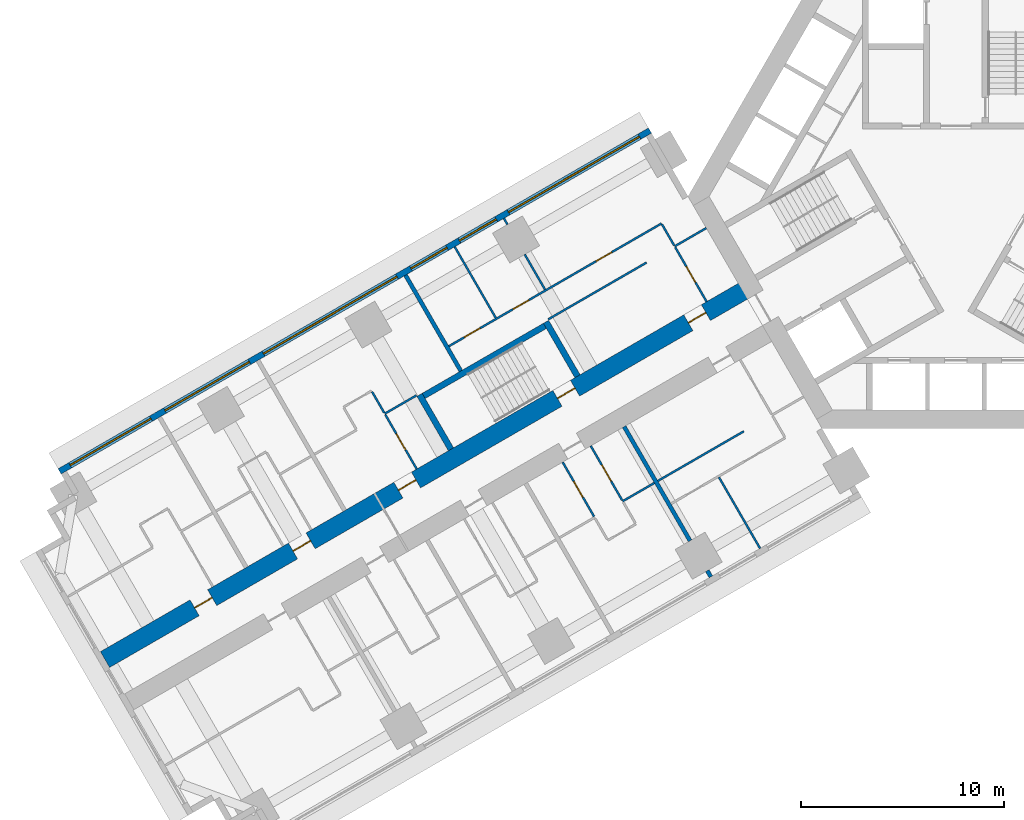
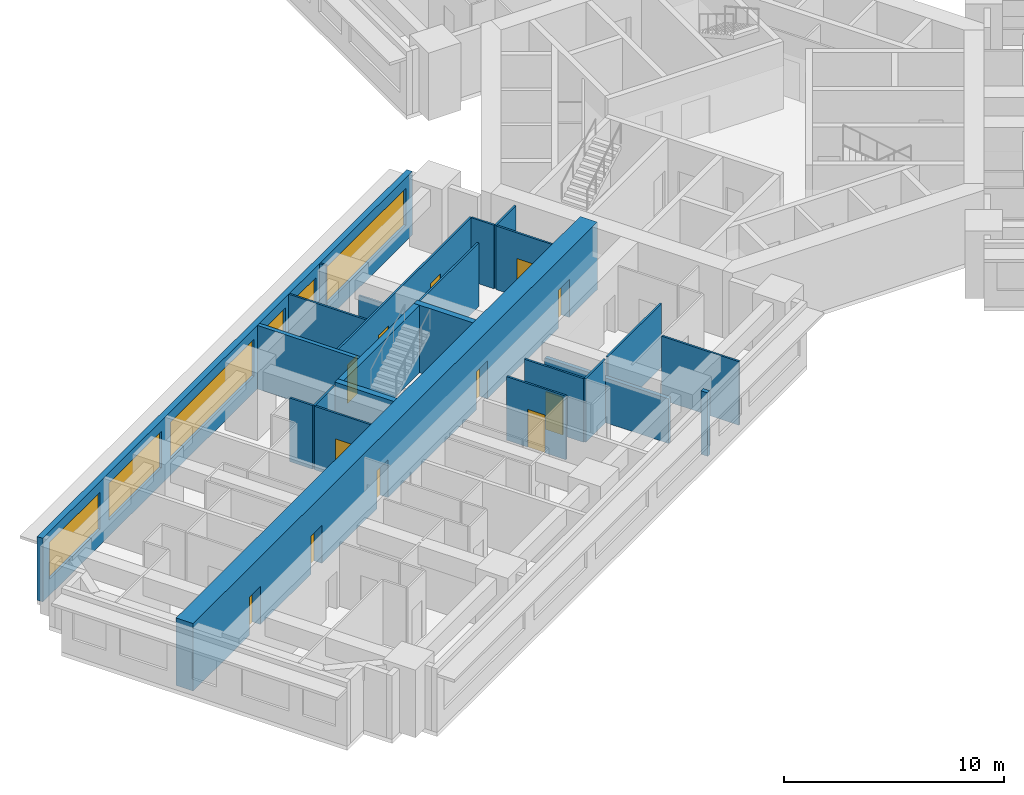
# One storey, part 5 of 16: 24 walls, 12 doors, 6 windows, 18 openings.
"""IFC4 building model written with IfcOpenShell, lengths in metres."""

from ifc_helpers import new_model, si_unit, direction, frame, frame_2d, origin, place, context, subcontext, project, spatial, rectangle, extrude, material, layer, layer_set, type_object, element, fill, save


model = new_model("IFC4")

# Units and contexts
model_context = context("Model", 3, precision=1e-05, world=origin(), true_north=direction((0.0, 1.0)))
body_context = subcontext(model_context, "Body", "Model", "MODEL_VIEW")
ifc_project = project(units=[si_unit("LENGTHUNIT", "METRE"), si_unit("AREAUNIT", "SQUARE_METRE"), si_unit("VOLUMEUNIT", "CUBIC_METRE"), si_unit("PLANEANGLEUNIT", "RADIAN"), si_unit("MASSUNIT", "GRAM", prefix="KILO")], contexts=[model_context])

# Site, building, storey
site_placement = place(None, origin())
site = spatial("IfcSite", under=ifc_project, at=site_placement, CompositionType="ELEMENT")
building_placement = place(site_placement, origin())
building = spatial("IfcBuilding", under=site, at=building_placement, Name="Impinga Residences", CompositionType="ELEMENT")
storey_placement = place(building_placement, frame((0.0, 0.0, 41.0)))
storey = spatial("IfcBuildingStorey", under=building, at=storey_placement, Name="L09", CompositionType="ELEMENT", Elevation=41.0)

# Wall, openings, doors
ifc_material_1 = material(Name="Concrete C70/85", Category="concrete")
ifc_layer_1 = layer(ifc_material_1, 0.89990234375)
ifc_layer_set_1 = layer_set([ifc_layer_1], Name="Concrete C70/85")
wall_type_1 = type_object("IfcWallType", Name="BW1 corridor buttress wall, L05 to L22 900", PredefinedType="SHEAR", material=ifc_layer_set_1)
wall_1_placement = place(storey_placement, frame((-10.1103515625, -4.451416015625, 0.0), z_axis=(0.0, 0.0, 1.0), x_axis=(-0.866025284237, -0.500000207062, 0.0)))
wall_1 = element("IfcWall", 1, at=wall_1_placement, inside=storey, type_object=wall_type_1, Name="Corridor wall BW1 WD L09", PredefinedType="SHEAR", context=body_context, shape_type="SweptSolid", body=[
    extrude(rectangle(XDim=36.75, YDim=0.89990234375, at=frame_2d((18.375, 0.0))), origin(), (0.0, 0.0, 1.0), 3.75),
])
opening_1_placement = place(wall_1_placement, frame((10.0, 0.0, 0.0)))
opening_1 = element("IfcOpeningElement", 2, at=opening_1_placement, cuts=wall_1, Name="Opening D5", PredefinedType="OPENING", context=body_context, shape_type="SweptSolid", body=[
    extrude(rectangle(XDim=1.0, YDim=2.10009765625, at=frame_2d((0.5, 1.050048828125))), frame((0.0, 0.4599609375, 0.0), z_axis=(0.0, -1.0, 0.0), x_axis=(1.0, 0.0, 0.0)), (0.0, 0.0, 1.0), 0.919921875),
])
opening_2_placement = place(wall_1_placement, frame((2.550048828125, 0.0, 0.0)))
opening_2 = element("IfcOpeningElement", 3, at=opening_2_placement, cuts=wall_1, Name="Opening D1", PredefinedType="OPENING", context=body_context, shape_type="SweptSolid", body=[
    extrude(rectangle(XDim=1.0, YDim=2.10009765625, at=frame_2d((0.5, 1.050048828125))), frame((0.0, 0.4599609375, 0.0), z_axis=(0.0, -1.0, 0.0), x_axis=(1.0, 0.0, 0.0)), (0.0, 0.0, 1.0), 0.919921875),
])
opening_3_placement = place(wall_1_placement, frame((19.050048828125, 0.0, 0.0)))
opening_3 = element("IfcOpeningElement", 4, at=opening_3_placement, cuts=wall_1, Name="Opening D1", PredefinedType="OPENING", context=body_context, shape_type="SweptSolid", body=[
    extrude(rectangle(XDim=1.0, YDim=2.10009765625, at=frame_2d((0.5, 1.050048828125))), frame((0.0, 0.4599609375, 0.0), z_axis=(0.0, -1.0, 0.0), x_axis=(1.0, 0.0, 0.0)), (0.0, 0.0, 1.0), 0.919921875),
])
opening_4_placement = place(wall_1_placement, frame((25.050048828125, 0.0, 0.0)))
opening_4 = element("IfcOpeningElement", 5, at=opening_4_placement, cuts=wall_1, Name="Opening D1", PredefinedType="OPENING", context=body_context, shape_type="SweptSolid", body=[
    extrude(rectangle(XDim=1.0, YDim=2.10009765625, at=frame_2d((0.5, 1.050048828125))), frame((0.0, 0.4599609375, 0.0), z_axis=(0.0, -1.0, 0.0), x_axis=(1.0, 0.0, 0.0)), (0.0, 0.0, 1.0), 0.919921875),
])
opening_5_placement = place(wall_1_placement, frame((30.64990234375, 0.0, 0.0)))
opening_5 = element("IfcOpeningElement", 6, at=opening_5_placement, cuts=wall_1, Name="Opening D1", PredefinedType="OPENING", context=body_context, shape_type="SweptSolid", body=[
    extrude(rectangle(XDim=1.0, YDim=2.10009765625, at=frame_2d((0.5, 1.050048828125))), frame((0.0, 0.4599609375, 0.0), z_axis=(0.0, -1.0, 0.0), x_axis=(1.0, 0.0, 0.0)), (0.0, 0.0, 1.0), 0.919921875),
])
ifc_material_2 = material(Name="Timber door set", Category="wood")
door_type_1 = type_object("IfcDoorType", Name="D1 apartment entrance door 1000x2100", OperationType="SINGLE_SWING_LEFT", PredefinedType="DOOR", material=ifc_material_2)
door_1_placement = place(opening_2_placement, origin())
door_1 = element("IfcDoor", 7, at=door_1_placement, inside=storey, type_object=door_type_1, Name="Apartment L09-WF1 entrance", OperationType="SINGLE_SWING_LEFT", OverallHeight=2.10009765625, OverallWidth=1.0, PredefinedType="DOOR", context=body_context, shape_type="SweptSolid", body=[
    extrude(rectangle(XDim=1.0, YDim=2.10009765625, at=frame_2d((0.5, 1.050048828125))), frame((0.0, 0.02490234375, 0.0), z_axis=(0.0, -1.0, 0.0), x_axis=(1.0, 0.0, 0.0)), (0.0, 0.0, 1.0), 0.050048828125),
])
fill(opening_2, door_1)
door_2_placement = place(opening_3_placement, origin())
door_2 = element("IfcDoor", 8, at=door_2_placement, inside=storey, type_object=door_type_1, Name="Apartment L09-WF2 entrance", OperationType="SINGLE_SWING_RIGHT", OverallHeight=2.10009765625, OverallWidth=1.0, PredefinedType="DOOR", context=body_context, shape_type="SweptSolid", body=[
    extrude(rectangle(XDim=1.0, YDim=2.10009765625, at=frame_2d((0.5, 1.050048828125))), frame((0.0, 0.02490234375, 0.0), z_axis=(0.0, -1.0, 0.0), x_axis=(1.0, 0.0, 0.0)), (0.0, 0.0, 1.0), 0.050048828125),
])
fill(opening_3, door_2)
door_3_placement = place(opening_4_placement, origin())
door_3 = element("IfcDoor", 9, at=door_3_placement, inside=storey, type_object=door_type_1, Name="Apartment L09-WF3 entrance", OperationType="SINGLE_SWING_RIGHT", OverallHeight=2.10009765625, OverallWidth=1.0, PredefinedType="DOOR", context=body_context, shape_type="SweptSolid", body=[
    extrude(rectangle(XDim=1.0, YDim=2.10009765625, at=frame_2d((0.5, 1.050048828125))), frame((0.0, 0.02490234375, 0.0), z_axis=(0.0, -1.0, 0.0), x_axis=(1.0, 0.0, 0.0)), (0.0, 0.0, 1.0), 0.050048828125),
])
fill(opening_4, door_3)
door_4_placement = place(opening_5_placement, origin())
door_4 = element("IfcDoor", 10, at=door_4_placement, inside=storey, type_object=door_type_1, Name="Apartment L09-WF4 entrance", OperationType="SINGLE_SWING_RIGHT", OverallHeight=2.10009765625, OverallWidth=1.0, PredefinedType="DOOR", context=body_context, shape_type="SweptSolid", body=[
    extrude(rectangle(XDim=1.0, YDim=2.10009765625, at=frame_2d((0.5, 1.050048828125))), frame((0.0, 0.02490234375, 0.0), z_axis=(0.0, -1.0, 0.0), x_axis=(1.0, 0.0, 0.0)), (0.0, 0.0, 1.0), 0.050048828125),
])
fill(opening_5, door_4)
door_type_2 = type_object("IfcDoorType", Name="D5 stair door 1000x2100", OperationType="SINGLE_SWING_LEFT", PredefinedType="DOOR", material=ifc_material_2)
door_5_placement = place(opening_1_placement, origin())
door_5 = element("IfcDoor", 11, at=door_5_placement, inside=storey, type_object=door_type_2, Name="Wing stair door W", OperationType="SINGLE_SWING_LEFT", OverallHeight=2.10009765625, OverallWidth=1.0, PredefinedType="DOOR", context=body_context, shape_type="SweptSolid", body=[
    extrude(rectangle(XDim=1.0, YDim=2.10009765625, at=frame_2d((0.5, 1.050048828125))), frame((0.0, 0.02490234375, 0.0), z_axis=(0.0, -1.0, 0.0), x_axis=(1.0, 0.0, 0.0)), (0.0, 0.0, 1.0), 0.050048828125),
])
fill(opening_1, door_5)

# Wall, openings, windows
ifc_material_3 = material(Name="Terracotta rainscreen on blockwork", Category="masonry")
ifc_layer_2 = layer(ifc_material_3, 0.300048828125)
ifc_layer_set_2 = layer_set([ifc_layer_2], Name="EW1 external wall, terracotta rainscreen on blockwork 300")
wall_type_2 = type_object("IfcWallType", Name="EW1 external wall, terracotta rainscreen on blockwork 300", PredefinedType="SOLIDWALL", material=ifc_layer_set_2)
wall_2_placement = place(storey_placement, frame((-44.17333984375, -13.552490234375, 0.0), z_axis=(0.0, 0.0, 1.0), x_axis=(0.866024291668, 0.500001926238, 0.0)))
wall_2 = element("IfcWall", 12, at=wall_2_placement, inside=storey, type_object=wall_type_2, Name="External wall EW1 L09", PredefinedType="SOLIDWALL", context=body_context, shape_type="SweptSolid", body=[
    extrude(rectangle(XDim=33.599853515625, YDim=0.300048828125, at=frame_2d((16.7998046875, 0.0))), origin(), (0.0, 0.0, 1.0), 3.530029296875),
])
opening_6_placement = place(wall_2_placement, frame((0.60009765625, 0.0, 0.89990234375)))
opening_6 = element("IfcOpeningElement", 13, at=opening_6_placement, cuts=wall_2, Name="Opening W3", PredefinedType="OPENING", context=body_context, shape_type="SweptSolid", body=[
    extrude(rectangle(XDim=4.60009765625, YDim=2.050048828125, at=frame_2d((2.300048828125, 1.02490234375))), frame((0.0, 0.159912109375, 0.0), z_axis=(0.0, -1.0, 0.0), x_axis=(1.0, 0.0, 0.0)), (0.0, 0.0, 1.0), 0.320068359375),
])
opening_7_placement = place(wall_2_placement, frame((6.0, 0.0, 0.89990234375)))
opening_7 = element("IfcOpeningElement", 14, at=opening_7_placement, cuts=wall_2, Name="Opening W8", PredefinedType="OPENING", context=body_context, shape_type="SweptSolid", body=[
    extrude(rectangle(XDim=4.800048828125, YDim=2.050048828125, at=frame_2d((2.39990234375, 1.02490234375))), frame((0.0, 0.159912109375, 0.0), z_axis=(0.0, -1.0, 0.0), x_axis=(1.0, 0.0, 0.0)), (0.0, 0.0, 1.0), 0.320068359375),
])
opening_8_placement = place(wall_2_placement, frame((11.60009765625, 0.0, 0.89990234375)))
opening_8 = element("IfcOpeningElement", 15, at=opening_8_placement, cuts=wall_2, Name="Opening W5", PredefinedType="OPENING", context=body_context, shape_type="SweptSolid", body=[
    extrude(rectangle(XDim=7.60009765625, YDim=2.050048828125, at=frame_2d((3.800048828125, 1.02490234375))), frame((0.0, 0.159912109375, 0.0), z_axis=(0.0, -1.0, 0.0), x_axis=(1.0, 0.0, 0.0)), (0.0, 0.0, 1.0), 0.320068359375),
])
opening_9_placement = place(wall_2_placement, frame((20.0, 0.0, 0.89990234375)))
opening_9 = element("IfcOpeningElement", 16, at=opening_9_placement, cuts=wall_2, Name="Opening W14", PredefinedType="OPENING", context=body_context, shape_type="SweptSolid", body=[
    extrude(rectangle(XDim=2.050048828125, YDim=2.050048828125, at=frame_2d((1.02490234375, 1.02490234375))), frame((0.0, 0.159912109375, 0.0), z_axis=(0.0, -1.0, 0.0), x_axis=(1.0, 0.0, 0.0)), (0.0, 0.0, 1.0), 0.320068359375),
])
opening_10_placement = place(wall_2_placement, frame((22.75, 0.0, 0.89990234375)))
opening_10 = element("IfcOpeningElement", 17, at=opening_10_placement, cuts=wall_2, Name="Opening W9", PredefinedType="OPENING", context=body_context, shape_type="SweptSolid", body=[
    extrude(rectangle(XDim=2.10009765625, YDim=2.050048828125, at=frame_2d((1.050048828125, 1.02490234375))), frame((0.0, 0.159912109375, 0.0), z_axis=(0.0, -1.0, 0.0), x_axis=(1.0, 0.0, 0.0)), (0.0, 0.0, 1.0), 0.320068359375),
])
opening_11_placement = place(wall_2_placement, frame((25.550048828125, 0.0, 0.89990234375)))
opening_11 = element("IfcOpeningElement", 18, at=opening_11_placement, cuts=wall_2, Name="Opening W7", PredefinedType="OPENING", context=body_context, shape_type="SweptSolid", body=[
    extrude(rectangle(XDim=7.449951171875, YDim=2.050048828125, at=frame_2d((3.72509765625, 1.02490234375))), frame((0.0, 0.159912109375, 0.0), z_axis=(0.0, -1.0, 0.0), x_axis=(1.0, 0.0, 0.0)), (0.0, 0.0, 1.0), 0.320068359375),
])
ifc_material_4 = material(Name="Aluminium window, clear double glazing", Category="aluminium")
window_type_1 = type_object("IfcWindowType", Name="W14 ribbon window 2050x2050", PartitioningType="SINGLE_PANEL", PredefinedType="WINDOW", material=ifc_material_4)
window_1_placement = place(opening_9_placement, origin())
window_1 = element("IfcWindow", 19, at=window_1_placement, inside=storey, type_object=window_type_1, Name="Window L09", OverallHeight=2.050048828125, OverallWidth=2.050048828125, PartitioningType="SINGLE_PANEL", PredefinedType="WINDOW", context=body_context, shape_type="SweptSolid", body=[
    extrude(rectangle(XDim=2.050048828125, YDim=2.050048828125, at=frame_2d((1.02490234375, 1.02490234375))), frame((0.0, 0.030029296875, 0.0), z_axis=(0.0, -1.0, 0.0), x_axis=(1.0, 0.0, 0.0)), (0.0, 0.0, 1.0), 0.06005859375),
])
fill(opening_9, window_1)
window_type_2 = type_object("IfcWindowType", Name="W3 ribbon window 4600x2050", PartitioningType="SINGLE_PANEL", PredefinedType="WINDOW", material=ifc_material_4)
window_2_placement = place(opening_6_placement, origin())
window_2 = element("IfcWindow", 20, at=window_2_placement, inside=storey, type_object=window_type_2, Name="Window L09", OverallHeight=2.050048828125, OverallWidth=4.60009765625, PartitioningType="SINGLE_PANEL", PredefinedType="WINDOW", context=body_context, shape_type="SweptSolid", body=[
    extrude(rectangle(XDim=4.60009765625, YDim=2.050048828125, at=frame_2d((2.300048828125, 1.02490234375))), frame((0.0, 0.030029296875, 0.0), z_axis=(0.0, -1.0, 0.0), x_axis=(1.0, 0.0, 0.0)), (0.0, 0.0, 1.0), 0.06005859375),
])
fill(opening_6, window_2)
window_type_3 = type_object("IfcWindowType", Name="W5 ribbon window 7600x2050", PartitioningType="SINGLE_PANEL", PredefinedType="WINDOW", material=ifc_material_4)
window_3_placement = place(opening_8_placement, origin())
window_3 = element("IfcWindow", 21, at=window_3_placement, inside=storey, type_object=window_type_3, Name="Window L09", OverallHeight=2.050048828125, OverallWidth=7.60009765625, PartitioningType="SINGLE_PANEL", PredefinedType="WINDOW", context=body_context, shape_type="SweptSolid", body=[
    extrude(rectangle(XDim=7.60009765625, YDim=2.050048828125, at=frame_2d((3.800048828125, 1.02490234375))), frame((0.0, 0.030029296875, 0.0), z_axis=(0.0, -1.0, 0.0), x_axis=(1.0, 0.0, 0.0)), (0.0, 0.0, 1.0), 0.06005859375),
])
fill(opening_8, window_3)
window_type_4 = type_object("IfcWindowType", Name="W7 ribbon window 7450x2050", PartitioningType="SINGLE_PANEL", PredefinedType="WINDOW", material=ifc_material_4)
window_4_placement = place(opening_11_placement, origin())
window_4 = element("IfcWindow", 22, at=window_4_placement, inside=storey, type_object=window_type_4, Name="Window L09", OverallHeight=2.050048828125, OverallWidth=7.449951171875, PartitioningType="SINGLE_PANEL", PredefinedType="WINDOW", context=body_context, shape_type="SweptSolid", body=[
    extrude(rectangle(XDim=7.449951171875, YDim=2.050048828125, at=frame_2d((3.72509765625, 1.02490234375))), frame((0.0, 0.030029296875, 0.0), z_axis=(0.0, -1.0, 0.0), x_axis=(1.0, 0.0, 0.0)), (0.0, 0.0, 1.0), 0.06005859375),
])
fill(opening_11, window_4)
window_type_5 = type_object("IfcWindowType", Name="W8 ribbon window 4800x2050", PartitioningType="SINGLE_PANEL", PredefinedType="WINDOW", material=ifc_material_4)
window_5_placement = place(opening_7_placement, origin())
window_5 = element("IfcWindow", 23, at=window_5_placement, inside=storey, type_object=window_type_5, Name="Window L09", OverallHeight=2.050048828125, OverallWidth=4.800048828125, PartitioningType="SINGLE_PANEL", PredefinedType="WINDOW", context=body_context, shape_type="SweptSolid", body=[
    extrude(rectangle(XDim=4.800048828125, YDim=2.050048828125, at=frame_2d((2.39990234375, 1.02490234375))), frame((0.0, 0.030029296875, 0.0), z_axis=(0.0, -1.0, 0.0), x_axis=(1.0, 0.0, 0.0)), (0.0, 0.0, 1.0), 0.06005859375),
])
fill(opening_7, window_5)
window_type_6 = type_object("IfcWindowType", Name="W9 ribbon window 2100x2050", PartitioningType="SINGLE_PANEL", PredefinedType="WINDOW", material=ifc_material_4)
window_6_placement = place(opening_10_placement, origin())
window_6 = element("IfcWindow", 24, at=window_6_placement, inside=storey, type_object=window_type_6, Name="Window L09", OverallHeight=2.050048828125, OverallWidth=2.10009765625, PartitioningType="SINGLE_PANEL", PredefinedType="WINDOW", context=body_context, shape_type="SweptSolid", body=[
    extrude(rectangle(XDim=2.10009765625, YDim=2.050048828125, at=frame_2d((1.050048828125, 1.02490234375))), frame((0.0, 0.030029296875, 0.0), z_axis=(0.0, -1.0, 0.0), x_axis=(1.0, 0.0, 0.0)), (0.0, 0.0, 1.0), 0.06005859375),
])
fill(opening_10, window_6)

# Walls
ifc_material_5 = material(Name="Gypsum board on steel studs", Category="steel")
ifc_layer_3 = layer(ifc_material_5, 0.10009765625)
ifc_layer_set_3 = layer_set([ifc_layer_3], Name="Gypsum board on steel studs")
wall_type_3 = type_object("IfcWallType", Name="IP1 partition 100", PredefinedType="PARTITIONING", material=ifc_layer_set_3)
wall_3_placement = place(storey_placement, frame((-10.444580078125, -11.57275390625, 0.0), z_axis=(0.0, 0.0, 1.0), x_axis=(-0.866023786258, -0.500002801628, 0.0)))
element("IfcWall", 25, at=wall_3_placement, inside=storey, type_object=wall_type_3, Name="Partition L09-WA1:DIV1", PredefinedType="PARTITIONING", context=body_context, shape_type="SweptSolid", body=[
    extrude(rectangle(XDim=4.89990234375, YDim=0.10009765625, at=frame_2d((2.449951171875, 0.0))), origin(), (0.0, 0.0, 1.0), 3.530029296875),
])
wall_4_placement = place(storey_placement, frame((-11.6748046875, -13.841796875, 0.0), z_axis=(0.0, 0.0, 1.0), x_axis=(0.500035537042, -0.866004885491, 0.0)))
element("IfcWall", 26, at=wall_4_placement, inside=storey, type_object=wall_type_3, Name="Partition L09-WA1:OB1", PredefinedType="PARTITIONING", context=body_context, shape_type="SweptSolid", body=[
    extrude(rectangle(XDim=4.050048828125, YDim=0.10009765625, at=frame_2d((2.02490234375, 0.0))), origin(), (0.0, 0.0, 1.0), 3.530029296875),
])
wall_5_placement = place(storey_placement, frame((-14.861328125, -14.122802734375, 0.0), z_axis=(0.0, 0.0, 1.0), x_axis=(-0.866047807691, -0.499961193289, 0.0)))
element("IfcWall", 27, at=wall_5_placement, inside=storey, type_object=wall_type_3, Name="Partition L09-WA2:DIV0", PredefinedType="PARTITIONING", context=body_context, shape_type="SweptSolid", body=[
    extrude(rectangle(XDim=1.800048828125, YDim=0.10009765625, at=frame_2d((0.89990234375, 0.0))), origin(), (0.0, 0.0, 1.0), 3.530029296875),
])

# Wall, opening, door
wall_6_placement = place(storey_placement, frame((-17.9951171875, -12.294677734375, 0.0), z_axis=(0.0, 0.0, 1.0), x_axis=(0.49999285859, -0.86602952684, 0.0)))
wall_6 = element("IfcWall", 28, at=wall_6_placement, inside=storey, type_object=wall_type_3, Name="Partition L09-WA2:IB1", PredefinedType="PARTITIONING", context=body_context, shape_type="SweptSolid", body=[
    extrude(rectangle(XDim=3.10009765625, YDim=0.10009765625, at=frame_2d((1.550048828125, 0.0))), origin(), (0.0, 0.0, 1.0), 3.530029296875),
])
opening_12_placement = place(wall_6_placement, frame((1.10009765625, 0.0, 0.0)))
opening_12 = element("IfcOpeningElement", 29, at=opening_12_placement, cuts=wall_6, Name="Opening D2", PredefinedType="OPENING", context=body_context, shape_type="SweptSolid", body=[
    extrude(rectangle(XDim=0.89990234375, YDim=2.10009765625, at=frame_2d((0.449951171875, 1.050048828125))), frame((0.0, 0.06005859375, 0.0), z_axis=(0.0, -1.0, 0.0), x_axis=(1.0, 0.0, 0.0)), (0.0, 0.0, 1.0), 0.1201171875),
])
door_type_3 = type_object("IfcDoorType", Name="D2 internal door 900x2100", OperationType="SINGLE_SWING_LEFT", PredefinedType="DOOR", material=ifc_material_2)
door_6_placement = place(opening_12_placement, origin())
door_6 = element("IfcDoor", 30, at=door_6_placement, inside=storey, type_object=door_type_3, Name="Apartment L09-WA2 bathroom door", OperationType="SINGLE_SWING_LEFT", OverallHeight=2.10009765625, OverallWidth=0.89990234375, PredefinedType="DOOR", context=body_context, shape_type="SweptSolid", body=[
    extrude(rectangle(XDim=0.89990234375, YDim=2.10009765625, at=frame_2d((0.449951171875, 1.050048828125))), frame((0.0, 0.02490234375, 0.0), z_axis=(0.0, -1.0, 0.0), x_axis=(1.0, 0.0, 0.0)), (0.0, 0.0, 1.0), 0.050048828125),
])
fill(opening_12, door_6)

wall_7_placement = place(storey_placement, frame((-19.380615234375, -13.0947265625, 0.0), z_axis=(0.0, 0.0, 1.0), x_axis=(0.499967891604, -0.866043940782, 0.0)))
wall_7 = element("IfcWall", 31, at=wall_7_placement, inside=storey, type_object=wall_type_3, Name="Partition L09-WA2:IB2", PredefinedType="PARTITIONING", context=body_context, shape_type="SweptSolid", body=[
    extrude(rectangle(XDim=3.099853515625, YDim=0.10009765625, at=frame_2d((1.5498046875, 0.0))), origin(), (0.0, 0.0, 1.0), 3.530029296875),
])
opening_13_placement = place(wall_7_placement, frame((1.10009765625, 0.0, 0.0)))
opening_13 = element("IfcOpeningElement", 32, at=opening_13_placement, cuts=wall_7, Name="Opening D2", PredefinedType="OPENING", context=body_context, shape_type="SweptSolid", body=[
    extrude(rectangle(XDim=0.89990234375, YDim=2.10009765625, at=frame_2d((0.449951171875, 1.050048828125))), frame((0.0, 0.06005859375, 0.0), z_axis=(0.0, -1.0, 0.0), x_axis=(1.0, 0.0, 0.0)), (0.0, 0.0, 1.0), 0.1201171875),
])
door_7_placement = place(opening_13_placement, origin())
door_7 = element("IfcDoor", 33, at=door_7_placement, inside=storey, type_object=door_type_3, Name="Apartment L09-WA2 WC door", OperationType="SINGLE_SWING_LEFT", OverallHeight=2.10009765625, OverallWidth=0.89990234375, PredefinedType="DOOR", context=body_context, shape_type="SweptSolid", body=[
    extrude(rectangle(XDim=0.89990234375, YDim=2.10009765625, at=frame_2d((0.449951171875, 1.050048828125))), frame((0.0, 0.02490234375, 0.0), z_axis=(0.0, -1.0, 0.0), x_axis=(1.0, 0.0, 0.0)), (0.0, 0.0, 1.0), 0.050048828125),
])
fill(opening_13, door_7)

# Walls
wall_8_placement = place(storey_placement, frame((-12.300048828125, -1.558837890625, 0.0), z_axis=(0.0, 0.0, 1.0), x_axis=(-0.866047807691, -0.499961193289, 0.0)))
element("IfcWall", 34, at=wall_8_placement, inside=storey, type_object=wall_type_3, Name="Partition L09-WF1:DIV0", PredefinedType="PARTITIONING", context=body_context, shape_type="SweptSolid", body=[
    extrude(rectangle(XDim=1.800048828125, YDim=0.10009765625, at=frame_2d((0.89990234375, 0.0))), origin(), (0.0, 0.0, 1.0), 3.530029296875),
])
wall_9_placement = place(storey_placement, frame((-15.244384765625, -3.2587890625, 0.0), z_axis=(0.0, 0.0, 1.0), x_axis=(-0.866026594901, -0.49999793692, 0.0)))
element("IfcWall", 35, at=wall_9_placement, inside=storey, type_object=wall_type_3, Name="Partition L09-WF1:DIV1", PredefinedType="PARTITIONING", context=body_context, shape_type="SweptSolid", body=[
    extrude(rectangle(XDim=5.60009765625, YDim=0.10009765625, at=frame_2d((2.800048828125, 0.0))), origin(), (0.0, 0.0, 1.0), 3.530029296875),
])

# Wall, openings, doors
wall_10_placement = place(storey_placement, frame((-14.5087890625, -1.3330078125, 0.0), z_axis=(0.0, 0.0, 1.0), x_axis=(-0.866025650635, -0.499999572443, 0.0)))
wall_10 = element("IfcWall", 36, at=wall_10_placement, inside=storey, type_object=wall_type_3, Name="Partition L09-WF1:STRIP", PredefinedType="PARTITIONING", context=body_context, shape_type="SweptSolid", body=[
    extrude(rectangle(XDim=12.10009765625, YDim=0.10009765625, at=frame_2d((6.050048828125, 0.0))), origin(), (0.0, 0.0, 1.0), 3.530029296875),
])
opening_14_placement = place(wall_10_placement, frame((2.824951171875, 0.0, 0.0)))
opening_14 = element("IfcOpeningElement", 37, at=opening_14_placement, cuts=wall_10, Name="Opening D2", PredefinedType="OPENING", context=body_context, shape_type="SweptSolid", body=[
    extrude(rectangle(XDim=0.89990234375, YDim=2.10009765625, at=frame_2d((0.449951171875, 1.050048828125))), frame((0.0, 0.06005859375, 0.0), z_axis=(0.0, -1.0, 0.0), x_axis=(1.0, 0.0, 0.0)), (0.0, 0.0, 1.0), 0.1201171875),
])
opening_15_placement = place(wall_10_placement, frame((7.550048828125, 0.0, 0.0)))
opening_15 = element("IfcOpeningElement", 38, at=opening_15_placement, cuts=wall_10, Name="Opening D2", PredefinedType="OPENING", context=body_context, shape_type="SweptSolid", body=[
    extrude(rectangle(XDim=0.89990234375, YDim=2.10009765625, at=frame_2d((0.449951171875, 1.050048828125))), frame((0.0, 0.06005859375, 0.0), z_axis=(0.0, -1.0, 0.0), x_axis=(1.0, 0.0, 0.0)), (0.0, 0.0, 1.0), 0.1201171875),
])
opening_16_placement = place(wall_10_placement, frame((10.324951171875, 0.0, 0.0)))
opening_16 = element("IfcOpeningElement", 39, at=opening_16_placement, cuts=wall_10, Name="Opening D2", PredefinedType="OPENING", context=body_context, shape_type="SweptSolid", body=[
    extrude(rectangle(XDim=0.89990234375, YDim=2.10009765625, at=frame_2d((0.449951171875, 1.050048828125))), frame((0.0, 0.06005859375, 0.0), z_axis=(0.0, -1.0, 0.0), x_axis=(1.0, 0.0, 0.0)), (0.0, 0.0, 1.0), 0.1201171875),
])
door_8_placement = place(opening_14_placement, origin())
door_8 = element("IfcDoor", 40, at=door_8_placement, inside=storey, type_object=door_type_3, Name="Apartment L09-WF1 room door", OperationType="SINGLE_SWING_LEFT", OverallHeight=2.10009765625, OverallWidth=0.89990234375, PredefinedType="DOOR", context=body_context, shape_type="SweptSolid", body=[
    extrude(rectangle(XDim=0.89990234375, YDim=2.10009765625, at=frame_2d((0.449951171875, 1.050048828125))), frame((0.0, 0.02490234375, 0.0), z_axis=(0.0, -1.0, 0.0), x_axis=(1.0, 0.0, 0.0)), (0.0, 0.0, 1.0), 0.050048828125),
])
fill(opening_14, door_8)
door_9_placement = place(opening_15_placement, origin())
door_9 = element("IfcDoor", 41, at=door_9_placement, inside=storey, type_object=door_type_3, Name="Apartment L09-WF1 room door", OperationType="SINGLE_SWING_RIGHT", OverallHeight=2.10009765625, OverallWidth=0.89990234375, PredefinedType="DOOR", context=body_context, shape_type="SweptSolid", body=[
    extrude(rectangle(XDim=0.89990234375, YDim=2.10009765625, at=frame_2d((0.449951171875, 1.050048828125))), frame((0.0, 0.02490234375, 0.0), z_axis=(0.0, -1.0, 0.0), x_axis=(1.0, 0.0, 0.0)), (0.0, 0.0, 1.0), 0.050048828125),
])
fill(opening_15, door_9)
door_10_placement = place(opening_16_placement, origin())
door_10 = element("IfcDoor", 42, at=door_10_placement, inside=storey, type_object=door_type_3, Name="Apartment L09-WF1 room door", OperationType="SINGLE_SWING_RIGHT", OverallHeight=2.10009765625, OverallWidth=0.89990234375, PredefinedType="DOOR", context=body_context, shape_type="SweptSolid", body=[
    extrude(rectangle(XDim=0.89990234375, YDim=2.10009765625, at=frame_2d((0.449951171875, 1.050048828125))), frame((0.0, 0.02490234375, 0.0), z_axis=(0.0, -1.0, 0.0), x_axis=(1.0, 0.0, 0.0)), (0.0, 0.0, 1.0), 0.050048828125),
])
fill(opening_16, door_10)

# Wall
wall_11_placement = place(storey_placement, frame((-13.8837890625, -2.41552734375, 0.0), z_axis=(0.0, 0.0, 1.0), x_axis=(-0.500033551112, 0.866006032174, 0.0)))
element("IfcWall", 43, at=wall_11_placement, inside=storey, type_object=wall_type_3, Name="Partition L09-WF1:SE0", PredefinedType="PARTITIONING", context=body_context, shape_type="SweptSolid", body=[
    extrude(rectangle(XDim=1.2001953125, YDim=0.10009765625, at=frame_2d((0.60009765625, 0.0))), origin(), (0.0, 0.0, 1.0), 3.530029296875),
])

# Wall, opening, door
wall_12_placement = place(storey_placement, frame((-12.283935546875, -5.186767578125, 0.0), z_axis=(0.0, 0.0, 1.0), x_axis=(-0.499967891604, 0.866043940782, 0.0)))
wall_12 = element("IfcWall", 44, at=wall_12_placement, inside=storey, type_object=wall_type_3, Name="Partition L09-WF1:IB1", PredefinedType="PARTITIONING", context=body_context, shape_type="SweptSolid", body=[
    extrude(rectangle(XDim=3.099853515625, YDim=0.10009765625, at=frame_2d((1.5498046875, 0.0))), origin(), (0.0, 0.0, 1.0), 3.530029296875),
])
opening_17_placement = place(wall_12_placement, frame((1.10009765625, 0.0, 0.0)))
opening_17 = element("IfcOpeningElement", 45, at=opening_17_placement, cuts=wall_12, Name="Opening D2", PredefinedType="OPENING", context=body_context, shape_type="SweptSolid", body=[
    extrude(rectangle(XDim=0.89990234375, YDim=2.10009765625, at=frame_2d((0.449951171875, 1.050048828125))), frame((0.0, 0.06005859375, 0.0), z_axis=(0.0, -1.0, 0.0), x_axis=(1.0, 0.0, 0.0)), (0.0, 0.0, 1.0), 0.1201171875),
])
door_11_placement = place(opening_17_placement, origin())
door_11 = element("IfcDoor", 46, at=door_11_placement, inside=storey, type_object=door_type_3, Name="Apartment L09-WF1 bathroom door", OperationType="SINGLE_SWING_LEFT", OverallHeight=2.10009765625, OverallWidth=0.89990234375, PredefinedType="DOOR", context=body_context, shape_type="SweptSolid", body=[
    extrude(rectangle(XDim=0.89990234375, YDim=2.10009765625, at=frame_2d((0.449951171875, 1.050048828125))), frame((0.0, 0.02490234375, 0.0), z_axis=(0.0, -1.0, 0.0), x_axis=(1.0, 0.0, 0.0)), (0.0, 0.0, 1.0), 0.050048828125),
])
fill(opening_17, door_11)

# Walls
wall_13_placement = place(storey_placement, frame((-20.24951171875, -4.589599609375, 0.0), z_axis=(0.0, 0.0, 1.0), x_axis=(-0.50002537861, 0.866010750942, 0.0)))
element("IfcWall", 47, at=wall_13_placement, inside=storey, type_object=wall_type_3, Name="Partition L09-WF1:OB1", PredefinedType="PARTITIONING", context=body_context, shape_type="SweptSolid", body=[
    extrude(rectangle(XDim=2.0, YDim=0.10009765625, at=frame_2d((1.0, 0.0))), origin(), (0.0, 0.0, 1.0), 2.47998046875),
])
wall_14_placement = place(storey_placement, frame((-22.099609375, -1.385498046875, 0.0), z_axis=(0.0, 0.0, 1.0), x_axis=(-0.49996389635, 0.866046247233, 0.0)))
element("IfcWall", 48, at=wall_14_placement, inside=storey, type_object=wall_type_3, Name="Partition L09-WF1:OB1b", PredefinedType="PARTITIONING", context=body_context, shape_type="SweptSolid", body=[
    extrude(rectangle(XDim=0.35009765625, YDim=0.10009765625, at=frame_2d((0.175048828125, 0.0))), origin(), (0.0, 0.0, 1.0), 3.530029296875),
])
wall_15_placement = place(storey_placement, frame((-22.674560546875, -5.98974609375, 0.0), z_axis=(0.0, 0.0, 1.0), x_axis=(-0.499990325971, 0.866030989016, 0.0)))
element("IfcWall", 49, at=wall_15_placement, inside=storey, type_object=wall_type_3, Name="Partition L09-WF1:OB2", PredefinedType="PARTITIONING", context=body_context, shape_type="SweptSolid", body=[
    extrude(rectangle(XDim=4.0498046875, YDim=0.10009765625, at=frame_2d((2.02490234375, 0.0))), origin(), (0.0, 0.0, 1.0), 3.530029296875),
])
wall_16_placement = place(storey_placement, frame((-26.58935546875, -9.808837890625, 0.0), z_axis=(0.0, 0.0, 1.0), x_axis=(-0.866047807691, -0.499961193289, 0.0)))
element("IfcWall", 50, at=wall_16_placement, inside=storey, type_object=wall_type_3, Name="Partition L09-WF2:DIV0", PredefinedType="PARTITIONING", context=body_context, shape_type="SweptSolid", body=[
    extrude(rectangle(XDim=1.800048828125, YDim=0.10009765625, at=frame_2d((0.89990234375, 0.0))), origin(), (0.0, 0.0, 1.0), 3.530029296875),
])
wall_17_placement = place(storey_placement, frame((-28.17333984375, -10.66552734375, 0.0), z_axis=(0.0, 0.0, 1.0), x_axis=(-0.499880961361, 0.866094119867, 0.0)))
element("IfcWall", 51, at=wall_17_placement, inside=storey, type_object=wall_type_3, Name="Partition L09-WF2:SE0", PredefinedType="PARTITIONING", context=body_context, shape_type="SweptSolid", body=[
    extrude(rectangle(XDim=1.199951171875, YDim=0.10009765625, at=frame_2d((0.60009765625, 0.0))), origin(), (0.0, 0.0, 1.0), 3.530029296875),
])

# Wall, opening, door
wall_18_placement = place(storey_placement, frame((-26.5732421875, -13.436767578125, 0.0), z_axis=(0.0, 0.0, 1.0), x_axis=(-0.500026960575, 0.86600983753, 0.0)))
wall_18 = element("IfcWall", 52, at=wall_18_placement, inside=storey, type_object=wall_type_3, Name="Partition L09-WF2:IB1", PredefinedType="PARTITIONING", context=body_context, shape_type="SweptSolid", body=[
    extrude(rectangle(XDim=3.099853515625, YDim=0.10009765625, at=frame_2d((1.5498046875, 0.0))), origin(), (0.0, 0.0, 1.0), 3.530029296875),
])
opening_18_placement = place(wall_18_placement, frame((1.10009765625, 0.0, 0.0)))
opening_18 = element("IfcOpeningElement", 53, at=opening_18_placement, cuts=wall_18, Name="Opening D2", PredefinedType="OPENING", context=body_context, shape_type="SweptSolid", body=[
    extrude(rectangle(XDim=0.89990234375, YDim=2.10009765625, at=frame_2d((0.449951171875, 1.050048828125))), frame((0.0, 0.06005859375, 0.0), z_axis=(0.0, -1.0, 0.0), x_axis=(1.0, 0.0, 0.0)), (0.0, 0.0, 1.0), 0.1201171875),
])
door_12_placement = place(opening_18_placement, origin())
door_12 = element("IfcDoor", 54, at=door_12_placement, inside=storey, type_object=door_type_3, Name="Apartment L09-WF2 bathroom door", OperationType="SINGLE_SWING_LEFT", OverallHeight=2.10009765625, OverallWidth=0.89990234375, PredefinedType="DOOR", context=body_context, shape_type="SweptSolid", body=[
    extrude(rectangle(XDim=0.89990234375, YDim=2.10009765625, at=frame_2d((0.449951171875, 1.050048828125))), frame((0.0, 0.02490234375, 0.0), z_axis=(0.0, -1.0, 0.0), x_axis=(1.0, 0.0, 0.0)), (0.0, 0.0, 1.0), 0.050048828125),
])
fill(opening_18, door_12)

# Walls
ifc_material_6 = material(Name="Concrete blockwork", Category="masonry")
ifc_layer_4 = layer(ifc_material_6, 0.199951171875)
ifc_layer_set_4 = layer_set([ifc_layer_4], Name="PW1 party wall between apartments 200")
wall_type_4 = type_object("IfcWallType", Name="PW1 party wall between apartments 200", PredefinedType="SOLIDWALL", material=ifc_layer_set_4)
wall_19_placement = place(storey_placement, frame((-16.349609375, -11.3447265625, 0.0), z_axis=(0.0, 0.0, 1.0), x_axis=(0.50000098154, -0.866024837091, 0.0)))
element("IfcWall", 55, at=wall_19_placement, inside=storey, type_object=wall_type_4, Name="Party wall between apartments L09-WA1:PARTY", PredefinedType="SOLIDWALL", context=body_context, shape_type="SweptSolid", body=[
    extrude(rectangle(XDim=6.5, YDim=0.199951171875, at=frame_2d((3.25, 0.0))), origin(), (0.0, 0.0, 1.0), 2.47998046875),
])
wall_20_placement = place(storey_placement, frame((-12.24951171875, -18.446044921875, 0.0), z_axis=(0.0, 0.0, 1.0), x_axis=(0.499440622861, -0.866348119543, 0.0)))
element("IfcWall", 56, at=wall_20_placement, inside=storey, type_object=wall_type_4, Name="Party wall between apartments L09-WA1:PARTYb", PredefinedType="SOLIDWALL", context=body_context, shape_type="SweptSolid", body=[
    extrude(rectangle(XDim=0.35009765625, YDim=0.199951171875, at=frame_2d((0.175048828125, 0.0))), origin(), (0.0, 0.0, 1.0), 3.530029296875),
])
wall_21_placement = place(storey_placement, frame((-24.3994140625, -8.60205078125, 0.0), z_axis=(0.0, 0.0, 1.0), x_axis=(-0.499988730927, 0.866031909889, 0.0)))
element("IfcWall", 57, at=wall_21_placement, inside=storey, type_object=wall_type_4, Name="Party wall between apartments L09-WF1:PARTY", PredefinedType="SOLIDWALL", context=body_context, shape_type="SweptSolid", body=[
    extrude(rectangle(XDim=5.449951171875, YDim=0.199951171875, at=frame_2d((2.72509765625, 0.0))), origin(), (0.0, 0.0, 1.0), 3.530029296875),
])
ifc_material_7 = material(Name="Concrete C60/75", Category="concrete")
ifc_layer_5 = layer(ifc_material_7, 0.300048828125)
ifc_layer_set_5 = layer_set([ifc_layer_5], Name="Concrete C60/75")
wall_type_5 = type_object("IfcWallType", Name="SE1 wing stair enclosure wall 300", PredefinedType="SOLIDWALL", material=ifc_layer_set_5)
wall_22_placement = place(storey_placement, frame((-18.649169921875, -8.86181640625, 0.0), z_axis=(0.0, 0.0, 1.0), x_axis=(-0.500026960575, 0.86600983753, 0.0)))
element("IfcWall", 58, at=wall_22_placement, inside=storey, type_object=wall_type_5, Name="Stair enclosure wall SE1 W END0 L09", PredefinedType="SOLIDWALL", context=body_context, shape_type="SweptSolid", body=[
    extrude(rectangle(XDim=3.099853515625, YDim=0.300048828125, at=frame_2d((1.5498046875, 0.0))), origin(), (0.0, 0.0, 1.0), 3.75),
])
wall_23_placement = place(storey_placement, frame((-24.884521484375, -12.4619140625, 0.0), z_axis=(0.0, 0.0, 1.0), x_axis=(-0.49999285859, 0.86602952684, 0.0)))
element("IfcWall", 59, at=wall_23_placement, inside=storey, type_object=wall_type_5, Name="Stair enclosure wall SE1 W END1 L09", PredefinedType="SOLIDWALL", context=body_context, shape_type="SweptSolid", body=[
    extrude(rectangle(XDim=3.10009765625, YDim=0.300048828125, at=frame_2d((1.550048828125, 0.0))), origin(), (0.0, 0.0, 1.0), 3.75),
])
wall_24_placement = place(storey_placement, frame((-20.254150390625, -6.382080078125, 0.0), z_axis=(0.0, 0.0, 1.0), x_axis=(-0.866020008033, -0.500009345598, 0.0)))
element("IfcWall", 60, at=wall_24_placement, inside=storey, type_object=wall_type_5, Name="Stair enclosure wall SE1 W OUT L09", PredefinedType="SOLIDWALL", context=body_context, shape_type="SweptSolid", body=[
    extrude(rectangle(XDim=6.899658203125, YDim=0.300048828125, at=frame_2d((3.44970703125, 0.0))), origin(), (0.0, 0.0, 1.0), 3.75),
])

save(model, "model.ifc")
